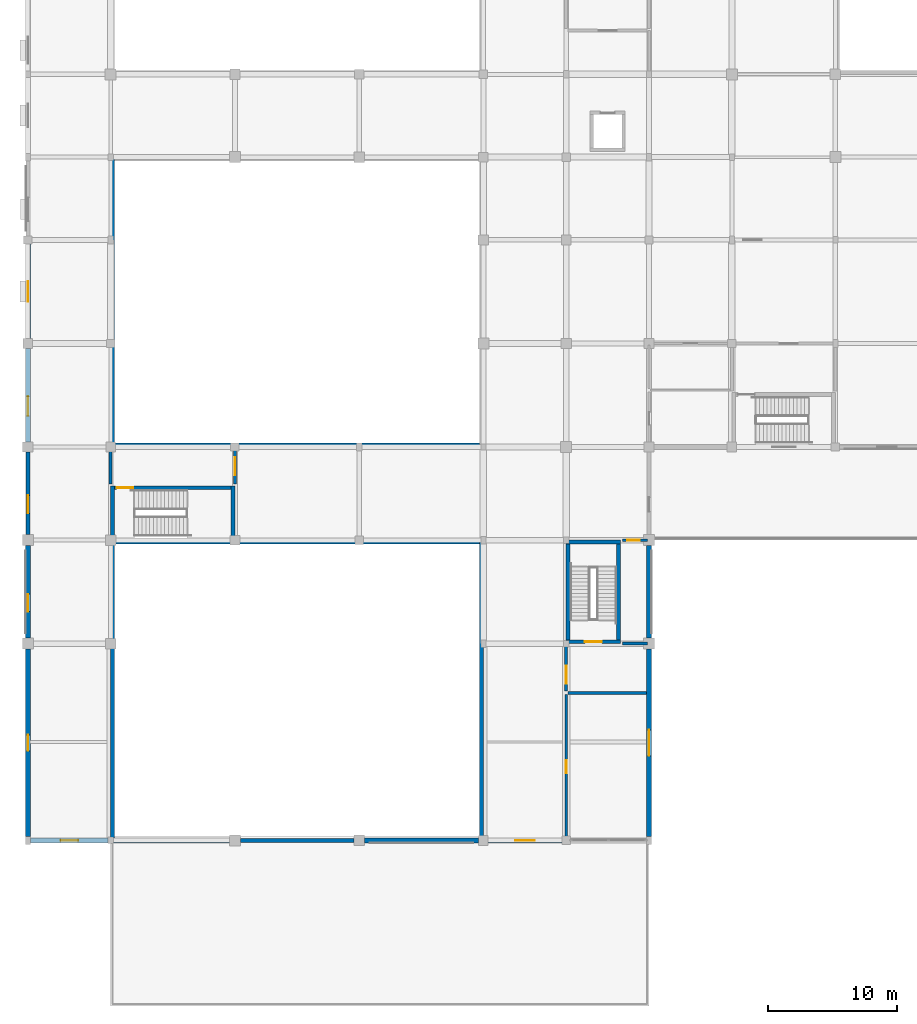
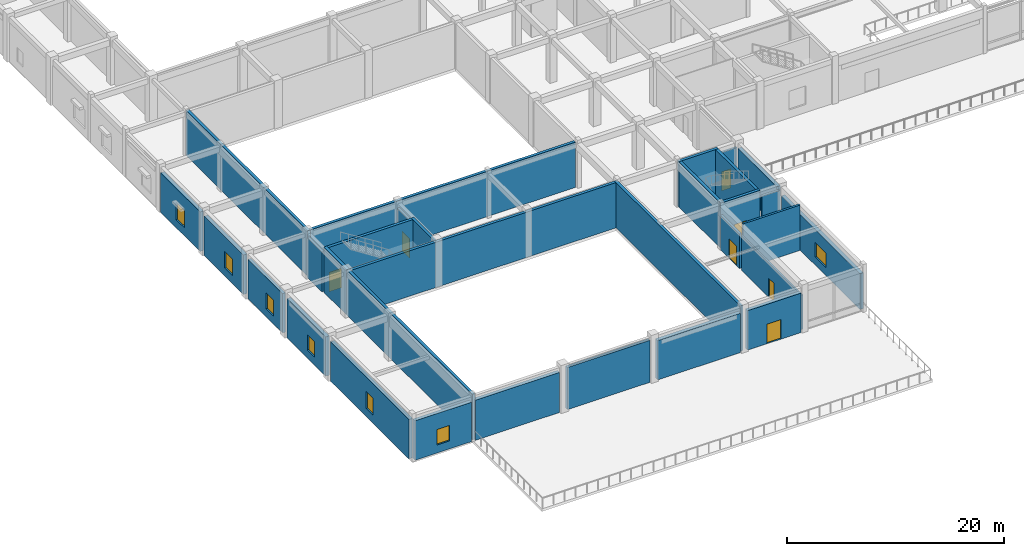
# One storey, part 21 of 36: 31 walls, 7 doors, 7 windows, 14 openings.
"""IFC4 building model written with IfcOpenShell, lengths in metres."""

from ifc_helpers import new_model, si_unit, direction, frame, frame_2d, origin, place, context, subcontext, project, spatial, rectangle, extrude, material, layer, layer_set, type_object, element, fill, save


model = new_model("IFC4")

# Units and contexts
model_context = context("Model", 3, precision=1e-05, world=origin(), true_north=direction((0.0, 1.0)))
body_context = subcontext(model_context, "Body", "Model", "MODEL_VIEW")
ifc_project = project(units=[si_unit("LENGTHUNIT", "METRE"), si_unit("AREAUNIT", "SQUARE_METRE"), si_unit("VOLUMEUNIT", "CUBIC_METRE"), si_unit("PLANEANGLEUNIT", "RADIAN"), si_unit("MASSUNIT", "GRAM", prefix="KILO")], contexts=[model_context])

# Site, building, storey
site_placement = place(None, origin())
site = spatial("IfcSite", under=ifc_project, at=site_placement, CompositionType="ELEMENT")
building_placement = place(site_placement, origin())
building = spatial("IfcBuilding", under=site, at=building_placement, Name="Vellmiral Cinema and Media Centre", CompositionType="ELEMENT")
storey_placement = place(building_placement, frame((0.0, 0.0, 5.39990234375)))
storey = spatial("IfcBuildingStorey", under=building, at=storey_placement, Name="L01", CompositionType="ELEMENT", Elevation=5.39990234375)

# Wall, opening, door
ifc_material_1 = material(Name="Concrete C40/50", Category="concrete")
ifc_layer_1 = layer(ifc_material_1, 0.2099609375, Name="Concrete C40/50")
ifc_layer_set_1 = layer_set([ifc_layer_1], Name="Concrete C40/50")
wall_type_1 = type_object("IfcWallType", Name="WL-COMP-210", PredefinedType="SOLIDWALL", material=ifc_layer_set_1)
wall_1_placement = place(storey_placement, frame((45.93994140625, 36.0, 0.0), z_axis=(0.0, 0.0, 1.0), x_axis=(1.0, 0.0, 0.0)))
wall_1 = element("IfcWall", 1, at=wall_1_placement, inside=storey, type_object=wall_type_1, Name="West Core Smoke Riser Room Wall N", PredefinedType="SOLIDWALL", context=body_context, shape_type="SweptSolid", body=[
    extrude(rectangle(XDim=1.955078125, YDim=0.2099609375, at=frame_2d((0.9775390625, 0.0))), origin(), (0.0, 0.0, 1.0), 4.385009765625),
])
opening_1_placement = place(wall_1_placement, frame((0.360107421875, 0.0, 0.0)))
opening_1 = element("IfcOpeningElement", 2, at=opening_1_placement, cuts=wall_1, Name="Opening D-FD30B", PredefinedType="OPENING", context=body_context, shape_type="SweptSolid", body=[
    extrude(rectangle(XDim=1.0, YDim=2.14990234375, at=frame_2d((0.5, 1.074951171875))), frame((0.0, 0.116943359375, 0.0), z_axis=(0.0, -1.0, 0.0), x_axis=(1.0, 0.0, 0.0)), (0.0, 0.0, 1.0), 0.23388671875),
])
ifc_material_2 = material(Name="Steel Riser Fire Door", Category="steel")
door_type_1 = type_object("IfcDoorType", Name="DR-FD30-1000x2150", OperationType="NOTDEFINED", PredefinedType="DOOR", material=ifc_material_2)
door_1_placement = place(opening_1_placement, frame((1.0, 0.0, 0.0), z_axis=(0.0, 0.0, 1.0), x_axis=(-1.0, 0.0, 0.0)))
door_1 = element("IfcDoor", 3, at=door_1_placement, inside=storey, type_object=door_type_1, Name="West Core Smoke Riser Room Door", OperationType="SINGLE_SWING_RIGHT", OverallHeight=2.14990234375, OverallWidth=1.0, PredefinedType="DOOR", context=body_context, shape_type="SweptSolid", body=[
    extrude(rectangle(XDim=1.0, YDim=2.14990234375, at=frame_2d((0.5, 1.074951171875))), frame((0.0, 0.02490234375, 0.0), z_axis=(0.0, -1.0, 0.0), x_axis=(1.0, 0.0, 0.0)), (0.0, 0.0, 1.0), 0.050048828125),
])
fill(opening_1, door_1)

# Walls
ifc_material_3 = material(Name="Concrete C40/50", Category="concrete")
ifc_layer_2 = layer(ifc_material_3, 0.300048828125, Name="Concrete C40/50")
ifc_layer_set_2 = layer_set([ifc_layer_2], Name="Concrete C40/50")
wall_type_2 = type_object("IfcWallType", Name="WL-CORE-300", PredefinedType="SHEAR", material=ifc_layer_set_2)
wall_2_placement = place(storey_placement, frame((6.699951171875, 35.85009765625, 0.0), z_axis=(0.0, 0.0, 1.0), x_axis=(1.0, 0.0, 0.0)))
element("IfcWall", 4, at=wall_2_placement, inside=storey, type_object=wall_type_2, Name="Cinema Screen 1 Acoustic Enclosure Wall L01-N1", PredefinedType="SHEAR", context=body_context, shape_type="SweptSolid", body=[
    extrude(rectangle(XDim=28.199951171875, YDim=0.300048828125, at=frame_2d((14.10009765625, 0.0))), origin(), (0.0, 0.0, 1.0), 5.10009765625),
])
for number, where, z_axis, x_axis, name in (
    (5, (6.550048828125, 12.800048828125, 0.0), (0.0, 0.0, 1.0), (0.0, 1.0, 0.0), "Cinema Screen 1 Acoustic Enclosure Wall L01-W1"),
    (6, (35.050048828125, 12.800048828125, 0.0), (0.0, 0.0, 1.0), (0.0, 1.0, 0.0), "Cinema Screen 1 Acoustic Enclosure Wall L01-E1"),
):
    element("IfcWall", number, at=place(storey_placement, frame(where, z_axis=z_axis, x_axis=x_axis)), inside=storey, type_object=wall_type_2, Name=name, PredefinedType="SHEAR", context=body_context, shape_type="SweptSolid", body=[
        extrude(rectangle(XDim=23.199951171875, YDim=0.300048828125, at=frame_2d((11.60009765625, 0.0))), origin(), (0.0, 0.0, 1.0), 5.10009765625),
    ])
wall_3_placement = place(storey_placement, frame((6.699951171875, 43.35009765625, 0.0), z_axis=(0.0, 0.0, 1.0), x_axis=(1.0, 0.0, 0.0)))
element("IfcWall", 7, at=wall_3_placement, inside=storey, type_object=wall_type_2, Name="Cinema Screen 2 Acoustic Enclosure Wall L01-S1", PredefinedType="SHEAR", context=body_context, shape_type="SweptSolid", body=[
    extrude(rectangle(XDim=28.199951171875, YDim=0.300048828125, at=frame_2d((14.10009765625, 0.0))), origin(), (0.0, 0.0, 1.0), 5.10009765625),
])
wall_4_placement = place(storey_placement, frame((6.550048828125, 43.199951171875, 0.0), z_axis=(0.0, 0.0, 1.0), x_axis=(0.0, 1.0, 0.0)))
element("IfcWall", 8, at=wall_4_placement, inside=storey, type_object=wall_type_2, Name="Cinema Screen 2 Acoustic Enclosure Wall L01-W1", PredefinedType="SHEAR", context=body_context, shape_type="SweptSolid", body=[
    extrude(rectangle(XDim=22.400146484375, YDim=0.300048828125, at=frame_2d((11.2001953125, 0.0))), origin(), (0.0, 0.0, 1.0), 5.10009765625),
])

# Wall, opening, door
wall_5_placement = place(storey_placement, frame((41.60009765625, 28.14990234375, 0.0), z_axis=(0.0, 0.0, 1.0), x_axis=(1.0, 0.0, 0.0)))
wall_5 = element("IfcWall", 9, at=wall_5_placement, inside=storey, type_object=wall_type_2, Name="Stair Core Wall ST-P1 L01-S", PredefinedType="SHEAR", context=body_context, shape_type="SweptSolid", body=[
    extrude(rectangle(XDim=4.199951171875, YDim=0.300048828125, at=frame_2d((2.10009765625, 0.0))), origin(), (0.0, 0.0, 1.0), 5.10009765625),
])
opening_2_placement = place(wall_5_placement, frame((1.449951171875, 0.0, 0.0)))
opening_2 = element("IfcOpeningElement", 10, at=opening_2_placement, cuts=wall_5, Name="Opening D-FD30A", PredefinedType="OPENING", context=body_context, shape_type="SweptSolid", body=[
    extrude(rectangle(XDim=1.300048828125, YDim=2.179931640625, at=frame_2d((0.64990234375, 1.08984375))), frame((0.0, 0.162109375, 0.0), z_axis=(0.0, -1.0, 0.0), x_axis=(1.0, 0.0, 0.0)), (0.0, 0.0, 1.0), 0.323974609375),
])
ifc_material_4 = material(Name="Steel Stair Fire Door", Category="steel")
door_type_2 = type_object("IfcDoorType", Name="DR-FD30-1300x2180", OperationType="NOTDEFINED", PredefinedType="DOOR", material=ifc_material_4)
door_2_placement = place(opening_2_placement, origin())
door_2 = element("IfcDoor", 11, at=door_2_placement, inside=storey, type_object=door_type_2, Name="Protected Stair Door ST-P1 L01", OperationType="SINGLE_SWING_LEFT", OverallHeight=2.179931640625, OverallWidth=1.300048828125, PredefinedType="DOOR", context=body_context, shape_type="SweptSolid", body=[
    extrude(rectangle(XDim=1.300048828125, YDim=2.179931640625, at=frame_2d((0.64990234375, 1.08984375))), frame((0.0, 0.02490234375, 0.0), z_axis=(0.0, -1.0, 0.0), x_axis=(1.0, 0.0, 0.0)), (0.0, 0.0, 1.0), 0.050048828125),
])
fill(opening_2, door_2)

# Walls
wall_6_placement = place(storey_placement, frame((41.60009765625, 35.85009765625, 0.0), z_axis=(0.0, 0.0, 1.0), x_axis=(1.0, 0.0, 0.0)))
element("IfcWall", 12, at=wall_6_placement, inside=storey, type_object=wall_type_2, Name="Stair Core Wall ST-P1 L01-N", PredefinedType="SHEAR", context=body_context, shape_type="SweptSolid", body=[
    extrude(rectangle(XDim=4.199951171875, YDim=0.300048828125, at=frame_2d((2.10009765625, 0.0))), origin(), (0.0, 0.0, 1.0), 5.10009765625),
])
for number, where, z_axis, x_axis, name in (
    (13, (41.75, 28.300048828125, 0.0), (0.0, 0.0, 1.0), (0.0, 1.0, 0.0), "Stair Core Wall ST-P1 L01-W"),
    (14, (45.64990234375, 28.300048828125, 0.0), (0.0, 0.0, 1.0), (0.0, 1.0, 0.0), "Stair Core Wall ST-P1 L01-E"),
):
    element("IfcWall", number, at=place(storey_placement, frame(where, z_axis=z_axis, x_axis=x_axis)), inside=storey, type_object=wall_type_2, Name=name, PredefinedType="SHEAR", context=body_context, shape_type="SweptSolid", body=[
        extrude(rectangle(XDim=7.39990234375, YDim=0.300048828125, at=frame_2d((3.699951171875, 0.0))), origin(), (0.0, 0.0, 1.0), 5.10009765625),
    ])
for number, where, z_axis, x_axis, name in (
    (15, (6.550048828125, 36.0, 0.0), (0.0, 0.0, 1.0), (0.0, 1.0, 0.0), "Stair Core Wall ST-P7 L01-W"),
    (16, (15.85009765625, 36.0, 0.0), (0.0, 0.0, 1.0), (0.0, 1.0, 0.0), "Stair Core Wall ST-P7 L01-E"),
):
    element("IfcWall", number, at=place(storey_placement, frame(where, z_axis=z_axis, x_axis=x_axis)), inside=storey, type_object=wall_type_2, Name=name, PredefinedType="SHEAR", context=body_context, shape_type="SweptSolid", body=[
        extrude(rectangle(XDim=4.199951171875, YDim=0.300048828125, at=frame_2d((2.10009765625, 0.0))), origin(), (0.0, 0.0, 1.0), 5.10009765625),
    ])

# Wall, opening, door
wall_7_placement = place(storey_placement, frame((6.699951171875, 40.050048828125, 0.0), z_axis=(0.0, 0.0, 1.0), x_axis=(1.0, 0.0, 0.0)))
wall_7 = element("IfcWall", 17, at=wall_7_placement, inside=storey, type_object=wall_type_2, Name="Stair Core Wall ST-P7 L01-N", PredefinedType="SHEAR", context=body_context, shape_type="SweptSolid", body=[
    extrude(rectangle(XDim=9.0, YDim=0.300048828125, at=frame_2d((4.5, 0.0))), origin(), (0.0, 0.0, 1.0), 5.10009765625),
])
opening_3_placement = place(wall_7_placement, frame((0.159912109375, 0.0, 0.0)))
opening_3 = element("IfcOpeningElement", 18, at=opening_3_placement, cuts=wall_7, Name="Opening D-FD30A", PredefinedType="OPENING", context=body_context, shape_type="SweptSolid", body=[
    extrude(rectangle(XDim=1.300048828125, YDim=2.179931640625, at=frame_2d((0.64990234375, 1.08984375))), frame((0.0, 0.162109375, 0.0), z_axis=(0.0, -1.0, 0.0), x_axis=(1.0, 0.0, 0.0)), (0.0, 0.0, 1.0), 0.323974609375),
])
door_3_placement = place(opening_3_placement, frame((1.300048828125, 0.0, 0.0), z_axis=(0.0, 0.0, 1.0), x_axis=(-1.0, 0.0, 0.0)))
door_3 = element("IfcDoor", 19, at=door_3_placement, inside=storey, type_object=door_type_2, Name="Protected Stair Door ST-P7 L01", OperationType="SINGLE_SWING_RIGHT", OverallHeight=2.179931640625, OverallWidth=1.300048828125, PredefinedType="DOOR", context=body_context, shape_type="SweptSolid", body=[
    extrude(rectangle(XDim=1.300048828125, YDim=2.179931640625, at=frame_2d((0.64990234375, 1.08984375))), frame((0.0, 0.02490234375, 0.0), z_axis=(0.0, -1.0, 0.0), x_axis=(1.0, 0.0, 0.0)), (0.0, 0.0, 1.0), 0.050048828125),
])
fill(opening_3, door_3)

# Wall
ifc_material_5 = material(Name="Polychrome Glazed Ceramic Cladding", Category="masonry")
ifc_layer_3 = layer(ifc_material_5, 0.320068359375, Name="Polychrome Glazed Ceramic Cladding")
ifc_layer_set_3 = layer_set([ifc_layer_3], Name="Polychrome Glazed Ceramic Cladding")
wall_type_3 = type_object("IfcWallType", Name="WL-EXT-BRICK-320", PredefinedType="SOLIDWALL", material=ifc_layer_set_3)
wall_8_placement = place(storey_placement, frame((16.425048828125, 12.800048828125, 0.0), z_axis=(0.0, 0.0, 1.0), x_axis=(1.0, 0.0, 0.0)))
element("IfcWall", 20, at=wall_8_placement, inside=storey, type_object=wall_type_3, Name="Exterior Facade Wall L01-003", PredefinedType="SOLIDWALL", context=body_context, shape_type="SweptSolid", body=[
    extrude(rectangle(XDim=8.77490234375, YDim=0.320068359375, at=frame_2d((4.387451171875, 0.0))), origin(), (0.0, 0.0, 1.0), 4.735107421875),
])

# Wall, opening, window
wall_9_placement = place(storey_placement, frame((0.0, 42.800048828125, 0.0), z_axis=(0.0, 0.0, 1.0), x_axis=(0.0, -1.0, 0.0)))
wall_9 = element("IfcWall", 21, at=wall_9_placement, inside=storey, type_object=wall_type_3, Name="Exterior Facade Wall L01-075", PredefinedType="SOLIDWALL", context=body_context, shape_type="SweptSolid", body=[
    extrude(rectangle(XDim=6.375, YDim=0.320068359375, at=frame_2d((3.1875, 0.0))), origin(), (0.0, 0.0, 1.0), 4.440185546875),
])
opening_4_placement = place(wall_9_placement, frame((3.33740234375, 0.0, 0.89990234375)))
opening_4 = element("IfcOpeningElement", 22, at=opening_4_placement, cuts=wall_9, Name="Opening WN-07", PredefinedType="OPENING", context=body_context, shape_type="SweptSolid", body=[
    extrude(rectangle(XDim=1.39990234375, YDim=1.800048828125, at=frame_2d((0.699951171875, 0.89990234375))), frame((0.0, 0.171875, 0.0), z_axis=(0.0, -1.0, 0.0), x_axis=(1.0, 0.0, 0.0)), (0.0, 0.0, 1.0), 0.343994140625),
])
ifc_material_6 = material(Name="Thermally Broken Aluminium Triple Glazing", Category="aluminium")
window_type_1 = type_object("IfcWindowType", Name="WN-1400x1800", PartitioningType="SINGLE_PANEL", PredefinedType="WINDOW", material=ifc_material_6)
window_1_placement = place(opening_4_placement, origin())
window_1 = element("IfcWindow", 23, at=window_1_placement, inside=storey, type_object=window_type_1, Name="Window L01-075", OverallHeight=1.800048828125, OverallWidth=1.39990234375, PartitioningType="SINGLE_PANEL", PredefinedType="WINDOW", context=body_context, shape_type="SweptSolid", body=[
    extrude(rectangle(XDim=1.39990234375, YDim=1.800048828125, at=frame_2d((0.699951171875, 0.89990234375))), frame((0.0, 0.030029296875, 0.0), z_axis=(0.0, -1.0, 0.0), x_axis=(1.0, 0.0, 0.0)), (0.0, 0.0, 1.0), 0.06005859375),
])
fill(opening_4, window_1)

ifc_material_7 = material(Name="Vosges Red Sandstone Masonry", Category="masonry")
ifc_layer_4 = layer(ifc_material_7, 0.3798828125, Name="Vosges Red Sandstone Masonry")
ifc_layer_set_4 = layer_set([ifc_layer_4], Name="Vosges Red Sandstone Masonry")
wall_type_4 = type_object("IfcWallType", Name="WL-EXT-SAND-380", PredefinedType="SOLIDWALL", material=ifc_layer_set_4)
wall_10_placement = place(storey_placement, frame((0.199951171875, 12.800048828125, 0.0), z_axis=(0.0, 0.0, 1.0), x_axis=(1.0, 0.0, 0.0)))
wall_10 = element("IfcWall", 24, at=wall_10_placement, inside=storey, type_object=wall_type_4, Name="Exterior Facade Wall L01-001", PredefinedType="SOLIDWALL", context=body_context, shape_type="SweptSolid", body=[
    extrude(rectangle(XDim=6.0, YDim=0.3798828125, at=frame_2d((3.0, 0.0))), origin(), (0.0, 0.0, 1.0), 4.440185546875),
])
opening_5_placement = place(wall_10_placement, frame((2.324951171875, 0.0, 0.89990234375)))
opening_5 = element("IfcOpeningElement", 25, at=opening_5_placement, cuts=wall_10, Name="Opening WN-08", PredefinedType="OPENING", context=body_context, shape_type="SweptSolid", body=[
    extrude(rectangle(XDim=1.35009765625, YDim=1.75, at=frame_2d((0.675048828125, 0.875))), frame((0.0, 0.201904296875, 0.0), z_axis=(0.0, -1.0, 0.0), x_axis=(1.0, 0.0, 0.0)), (0.0, 0.0, 1.0), 0.40380859375),
])
ifc_material_8 = material(Name="Thermally Broken Aluminium Triple Glazing", Category="aluminium")
window_type_2 = type_object("IfcWindowType", Name="WN-1350x1750", PartitioningType="SINGLE_PANEL", PredefinedType="WINDOW", material=ifc_material_8)
window_2_placement = place(opening_5_placement, origin())
window_2 = element("IfcWindow", 26, at=window_2_placement, inside=storey, type_object=window_type_2, Name="Window L01-001", OverallHeight=1.75, OverallWidth=1.35009765625, PartitioningType="SINGLE_PANEL", PredefinedType="WINDOW", context=body_context, shape_type="SweptSolid", body=[
    extrude(rectangle(XDim=1.35009765625, YDim=1.75, at=frame_2d((0.675048828125, 0.875))), frame((0.0, 0.030029296875, 0.0), z_axis=(0.0, -1.0, 0.0), x_axis=(1.0, 0.0, 0.0)), (0.0, 0.0, 1.0), 0.06005859375),
])
fill(opening_5, window_2)

# Walls
wall_11_placement = place(storey_placement, frame((6.60009765625, 12.800048828125, 0.0), z_axis=(0.0, 0.0, 1.0), x_axis=(1.0, 0.0, 0.0)))
element("IfcWall", 27, at=wall_11_placement, inside=storey, type_object=wall_type_4, Name="Exterior Facade Wall L01-002", PredefinedType="SOLIDWALL", context=body_context, shape_type="SweptSolid", body=[
    extrude(rectangle(XDim=8.974853515625, YDim=0.3798828125, at=frame_2d((4.4873046875, 0.0))), origin(), (0.0, 0.0, 1.0), 4.51513671875),
])
wall_12_placement = place(storey_placement, frame((26.0, 12.800048828125, 0.0), z_axis=(0.0, 0.0, 1.0), x_axis=(1.0, 0.0, 0.0)))
element("IfcWall", 28, at=wall_12_placement, inside=storey, type_object=wall_type_4, Name="Exterior Facade Wall L01-004", PredefinedType="SOLIDWALL", context=body_context, shape_type="SweptSolid", body=[
    extrude(rectangle(XDim=8.824951171875, YDim=0.3798828125, at=frame_2d((4.41259765625, 0.0))), origin(), (0.0, 0.0, 1.0), 4.43505859375),
])

# Wall, opening, door
wall_13_placement = place(storey_placement, frame((35.574951171875, 12.800048828125, 0.0), z_axis=(0.0, 0.0, 1.0), x_axis=(1.0, 0.0, 0.0)))
wall_13 = element("IfcWall", 29, at=wall_13_placement, inside=storey, type_object=wall_type_4, Name="Exterior Facade Wall L01-005", PredefinedType="SOLIDWALL", context=body_context, shape_type="SweptSolid", body=[
    extrude(rectangle(XDim=5.699951171875, YDim=0.3798828125, at=frame_2d((2.85009765625, 0.0))), origin(), (0.0, 0.0, 1.0), 4.440185546875),
])
opening_6_placement = place(wall_13_placement, frame((2.074951171875, 0.0, 0.0)))
opening_6 = element("IfcOpeningElement", 30, at=opening_6_placement, cuts=wall_13, Name="Opening DE-04", PredefinedType="OPENING", context=body_context, shape_type="SweptSolid", body=[
    extrude(rectangle(XDim=1.5, YDim=2.199951171875, at=frame_2d((0.75, 1.10009765625))), frame((0.0, 0.201904296875, 0.0), z_axis=(0.0, -1.0, 0.0), x_axis=(1.0, 0.0, 0.0)), (0.0, 0.0, 1.0), 0.40380859375),
])
ifc_material_9 = material(Name="Thermally Broken Glazed Aluminium and Bronze Door", Category="aluminium")
door_type_3 = type_object("IfcDoorType", Name="DR-TER-1500x2200", OperationType="DOUBLE_DOOR_SINGLE_SWING", PredefinedType="DOOR", material=ifc_material_9)
door_4_placement = place(opening_6_placement, frame((1.5, 0.0, 0.0), z_axis=(0.0, 0.0, 1.0), x_axis=(-1.0, 0.0, 0.0)))
door_4 = element("IfcDoor", 31, at=door_4_placement, inside=storey, type_object=door_type_3, Name="Promenade West Colonnade Terrace Door", OperationType="DOUBLE_DOOR_SINGLE_SWING", OverallHeight=2.199951171875, OverallWidth=1.5, PredefinedType="DOOR", context=body_context, shape_type="SweptSolid", body=[
    extrude(rectangle(XDim=1.5, YDim=2.199951171875, at=frame_2d((0.75, 1.10009765625))), frame((0.0, 0.02490234375, 0.0), z_axis=(0.0, -1.0, 0.0), x_axis=(1.0, 0.0, 0.0)), (0.0, 0.0, 1.0), 0.050048828125),
])
fill(opening_6, door_4)

# Wall, opening, window
wall_14_placement = place(storey_placement, frame((48.0, 13.10009765625, 0.0), z_axis=(0.0, 0.0, 1.0), x_axis=(0.0, 1.0, 0.0)))
wall_14 = element("IfcWall", 32, at=wall_14_placement, inside=storey, type_object=wall_type_4, Name="Exterior Facade Wall L01-007", PredefinedType="SOLIDWALL", context=body_context, shape_type="SweptSolid", body=[
    extrude(rectangle(XDim=14.474853515625, YDim=0.3798828125, at=frame_2d((7.2373046875, 0.0))), origin(), (0.0, 0.0, 1.0), 4.025146484375),
])
opening_7_placement = place(wall_14_placement, frame((6.237548828125, 0.0, 0.89990234375)))
opening_7 = element("IfcOpeningElement", 33, at=opening_7_placement, cuts=wall_14, Name="Opening WN-14", PredefinedType="OPENING", context=body_context, shape_type="SweptSolid", body=[
    extrude(rectangle(XDim=2.0, YDim=1.64990234375, at=frame_2d((1.0, 0.824951171875))), frame((0.0, 0.201904296875, 0.0), z_axis=(0.0, -1.0, 0.0), x_axis=(1.0, 0.0, 0.0)), (0.0, 0.0, 1.0), 0.40380859375),
])
ifc_material_10 = material(Name="Thermally Broken Aluminium Triple Glazing", Category="aluminium")
window_type_3 = type_object("IfcWindowType", Name="WN-2000x1650", PartitioningType="DOUBLE_PANEL_HORIZONTAL", PredefinedType="WINDOW", material=ifc_material_10)
window_3_placement = place(opening_7_placement, origin())
window_3 = element("IfcWindow", 34, at=window_3_placement, inside=storey, type_object=window_type_3, Name="Window L01-007", OverallHeight=1.64990234375, OverallWidth=2.0, PartitioningType="DOUBLE_PANEL_HORIZONTAL", PredefinedType="WINDOW", context=body_context, shape_type="SweptSolid", body=[
    extrude(rectangle(XDim=2.0, YDim=1.64990234375, at=frame_2d((1.0, 0.824951171875))), frame((0.0, 0.030029296875, 0.0), z_axis=(0.0, -1.0, 0.0), x_axis=(1.0, 0.0, 0.0)), (0.0, 0.0, 1.0), 0.06005859375),
])
fill(opening_7, window_3)

# Wall
wall_15_placement = place(storey_placement, frame((48.0, 28.425048828125, 0.0), z_axis=(0.0, 0.0, 1.0), x_axis=(0.0, 1.0, 0.0)))
element("IfcWall", 35, at=wall_15_placement, inside=storey, type_object=wall_type_4, Name="Exterior Facade Wall L01-008", PredefinedType="SOLIDWALL", context=body_context, shape_type="SweptSolid", body=[
    extrude(rectangle(XDim=7.14990234375, YDim=0.3798828125, at=frame_2d((3.574951171875, 0.0))), origin(), (0.0, 0.0, 1.0), 4.51513671875),
])

# Wall, opening, window
wall_16_placement = place(storey_placement, frame((0.0, 58.875, 0.0), z_axis=(0.0, 0.0, 1.0), x_axis=(0.0, -1.0, 0.0)))
wall_16 = element("IfcWall", 36, at=wall_16_placement, inside=storey, type_object=wall_type_4, Name="Exterior Facade Wall L01-073", PredefinedType="SOLIDWALL", context=body_context, shape_type="SweptSolid", body=[
    extrude(rectangle(XDim=7.300048828125, YDim=0.3798828125, at=frame_2d((3.64990234375, 0.0))), origin(), (0.0, 0.0, 1.0), 4.440185546875),
])
opening_8_placement = place(wall_16_placement, frame((2.85009765625, 0.0, 0.89990234375)))
opening_8 = element("IfcOpeningElement", 37, at=opening_8_placement, cuts=wall_16, Name="Opening WN-05", PredefinedType="OPENING", context=body_context, shape_type="SweptSolid", body=[
    extrude(rectangle(XDim=1.60009765625, YDim=1.949951171875, at=frame_2d((0.800048828125, 0.97509765625))), frame((0.0, 0.201904296875, 0.0), z_axis=(0.0, -1.0, 0.0), x_axis=(1.0, 0.0, 0.0)), (0.0, 0.0, 1.0), 0.40380859375),
])
ifc_material_11 = material(Name="Thermally Broken Aluminium Triple Glazing", Category="aluminium")
window_type_4 = type_object("IfcWindowType", Name="WN-1600x1950", PartitioningType="DOUBLE_PANEL_VERTICAL", PredefinedType="WINDOW", material=ifc_material_11)
window_4_placement = place(opening_8_placement, origin())
window_4 = element("IfcWindow", 38, at=window_4_placement, inside=storey, type_object=window_type_4, Name="Window L01-073", OverallHeight=1.949951171875, OverallWidth=1.60009765625, PartitioningType="DOUBLE_PANEL_VERTICAL", PredefinedType="WINDOW", context=body_context, shape_type="SweptSolid", body=[
    extrude(rectangle(XDim=1.60009765625, YDim=1.949951171875, at=frame_2d((0.800048828125, 0.97509765625))), frame((0.0, 0.030029296875, 0.0), z_axis=(0.0, -1.0, 0.0), x_axis=(1.0, 0.0, 0.0)), (0.0, 0.0, 1.0), 0.06005859375),
])
fill(opening_8, window_4)

wall_17_placement = place(storey_placement, frame((0.0, 50.824951171875, 0.0), z_axis=(0.0, 0.0, 1.0), x_axis=(0.0, -1.0, 0.0)))
wall_17 = element("IfcWall", 39, at=wall_17_placement, inside=storey, type_object=wall_type_4, Name="Exterior Facade Wall L01-074", PredefinedType="SOLIDWALL", context=body_context, shape_type="SweptSolid", body=[
    extrude(rectangle(XDim=7.224853515625, YDim=0.3798828125, at=frame_2d((3.6123046875, 0.0))), origin(), (0.0, 0.0, 1.0), 4.440185546875),
])
opening_9_placement = place(wall_17_placement, frame((3.71240234375, 0.0, 0.89990234375)))
opening_9 = element("IfcOpeningElement", 40, at=opening_9_placement, cuts=wall_17, Name="Opening WN-06", PredefinedType="OPENING", context=body_context, shape_type="SweptSolid", body=[
    extrude(rectangle(XDim=1.5, YDim=1.85009765625, at=frame_2d((0.75, 0.925048828125))), frame((0.0, 0.201904296875, 0.0), z_axis=(0.0, -1.0, 0.0), x_axis=(1.0, 0.0, 0.0)), (0.0, 0.0, 1.0), 0.40380859375),
])
ifc_material_12 = material(Name="Thermally Broken Aluminium Triple Glazing", Category="aluminium")
window_type_5 = type_object("IfcWindowType", Name="WN-1500x1850", PartitioningType="SINGLE_PANEL", PredefinedType="WINDOW", material=ifc_material_12)
window_5_placement = place(opening_9_placement, origin())
window_5 = element("IfcWindow", 41, at=window_5_placement, inside=storey, type_object=window_type_5, Name="Window L01-074", OverallHeight=1.85009765625, OverallWidth=1.5, PartitioningType="SINGLE_PANEL", PredefinedType="WINDOW", context=body_context, shape_type="SweptSolid", body=[
    extrude(rectangle(XDim=1.5, YDim=1.85009765625, at=frame_2d((0.75, 0.925048828125))), frame((0.0, 0.030029296875, 0.0), z_axis=(0.0, -1.0, 0.0), x_axis=(1.0, 0.0, 0.0)), (0.0, 0.0, 1.0), 0.06005859375),
])
fill(opening_9, window_5)

wall_18_placement = place(storey_placement, frame((0.0, 35.574951171875, 0.0), z_axis=(0.0, 0.0, 1.0), x_axis=(0.0, -1.0, 0.0)))
wall_18 = element("IfcWall", 42, at=wall_18_placement, inside=storey, type_object=wall_type_4, Name="Exterior Facade Wall L01-076", PredefinedType="SOLIDWALL", context=body_context, shape_type="SweptSolid", body=[
    extrude(rectangle(XDim=7.14990234375, YDim=0.3798828125, at=frame_2d((3.574951171875, 0.0))), origin(), (0.0, 0.0, 1.0), 4.425048828125),
])
opening_10_placement = place(wall_18_placement, frame((3.75, 0.0, 0.89990234375)))
opening_10 = element("IfcOpeningElement", 43, at=opening_10_placement, cuts=wall_18, Name="Opening WN-08", PredefinedType="OPENING", context=body_context, shape_type="SweptSolid", body=[
    extrude(rectangle(XDim=1.35009765625, YDim=1.75, at=frame_2d((0.675048828125, 0.875))), frame((0.0, 0.201904296875, 0.0), z_axis=(0.0, -1.0, 0.0), x_axis=(1.0, 0.0, 0.0)), (0.0, 0.0, 1.0), 0.40380859375),
])
window_6_placement = place(opening_10_placement, origin())
window_6 = element("IfcWindow", 44, at=window_6_placement, inside=storey, type_object=window_type_2, Name="Window L01-076", OverallHeight=1.75, OverallWidth=1.35009765625, PartitioningType="SINGLE_PANEL", PredefinedType="WINDOW", context=body_context, shape_type="SweptSolid", body=[
    extrude(rectangle(XDim=1.35009765625, YDim=1.75, at=frame_2d((0.675048828125, 0.875))), frame((0.0, 0.030029296875, 0.0), z_axis=(0.0, -1.0, 0.0), x_axis=(1.0, 0.0, 0.0)), (0.0, 0.0, 1.0), 0.06005859375),
])
fill(opening_10, window_6)

wall_19_placement = place(storey_placement, frame((0.0, 27.574951171875, 0.0), z_axis=(0.0, 0.0, 1.0), x_axis=(0.0, -1.0, 0.0)))
wall_19 = element("IfcWall", 45, at=wall_19_placement, inside=storey, type_object=wall_type_4, Name="Exterior Facade Wall L01-077", PredefinedType="SOLIDWALL", context=body_context, shape_type="SweptSolid", body=[
    extrude(rectangle(XDim=14.474853515625, YDim=0.3798828125, at=frame_2d((7.2373046875, 0.0))), origin(), (0.0, 0.0, 1.0), 4.425048828125),
])
opening_11_placement = place(wall_19_placement, frame((6.612548828125, 0.0, 0.89990234375)))
opening_11 = element("IfcOpeningElement", 46, at=opening_11_placement, cuts=wall_19, Name="Opening WN-09", PredefinedType="OPENING", context=body_context, shape_type="SweptSolid", body=[
    extrude(rectangle(XDim=1.25, YDim=1.89990234375, at=frame_2d((0.625, 0.949951171875))), frame((0.0, 0.201904296875, 0.0), z_axis=(0.0, -1.0, 0.0), x_axis=(1.0, 0.0, 0.0)), (0.0, 0.0, 1.0), 0.40380859375),
])
ifc_material_13 = material(Name="Thermally Broken Aluminium Triple Glazing", Category="aluminium")
window_type_6 = type_object("IfcWindowType", Name="WN-1250x1900", PartitioningType="SINGLE_PANEL", PredefinedType="WINDOW", material=ifc_material_13)
window_7_placement = place(opening_11_placement, origin())
window_7 = element("IfcWindow", 47, at=window_7_placement, inside=storey, type_object=window_type_6, Name="Window L01-077", OverallHeight=1.89990234375, OverallWidth=1.25, PartitioningType="SINGLE_PANEL", PredefinedType="WINDOW", context=body_context, shape_type="SweptSolid", body=[
    extrude(rectangle(XDim=1.25, YDim=1.89990234375, at=frame_2d((0.625, 0.949951171875))), frame((0.0, 0.030029296875, 0.0), z_axis=(0.0, -1.0, 0.0), x_axis=(1.0, 0.0, 0.0)), (0.0, 0.0, 1.0), 0.06005859375),
])
fill(opening_11, window_7)

# Walls
ifc_material_14 = material(Name="Concrete C40/50", Category="concrete")
ifc_layer_5 = layer(ifc_material_14, 0.22998046875, Name="Concrete C40/50")
ifc_layer_set_5 = layer_set([ifc_layer_5], Name="Concrete C40/50")
wall_type_5 = type_object("IfcWallType", Name="WL-FFL-230", PredefinedType="SOLIDWALL", material=ifc_layer_set_5)
wall_20_placement = place(storey_placement, frame((41.739990234375, 24.199951171875, 0.0), z_axis=(0.0, 0.0, 1.0), x_axis=(1.0, 0.0, 0.0)))
element("IfcWall", 48, at=wall_20_placement, inside=storey, type_object=wall_type_5, Name="Firefighting Stair Lobby ST-P1 Wall S", PredefinedType="SOLIDWALL", context=body_context, shape_type="SweptSolid", body=[
    extrude(rectangle(XDim=6.054931640625, YDim=0.22998046875, at=frame_2d((3.02734375, 0.0))), origin(), (0.0, 0.0, 1.0), 5.10009765625),
])
wall_21_placement = place(storey_placement, frame((45.93994140625, 28.0, 0.0), z_axis=(0.0, 0.0, 1.0), x_axis=(1.0, 0.0, 0.0)))
element("IfcWall", 49, at=wall_21_placement, inside=storey, type_object=wall_type_5, Name="Firefighting Stair Lobby ST-P1 Wall N", PredefinedType="SOLIDWALL", context=body_context, shape_type="SweptSolid", body=[
    extrude(rectangle(XDim=1.955078125, YDim=0.22998046875, at=frame_2d((0.9775390625, 0.0))), origin(), (0.0, 0.0, 1.0), 4.43505859375),
])

# Wall, opening, door
wall_22_placement = place(storey_placement, frame((41.60009765625, 24.340087890625, 0.0), z_axis=(0.0, 0.0, 1.0), x_axis=(0.0, 1.0, 0.0)))
wall_22 = element("IfcWall", 50, at=wall_22_placement, inside=storey, type_object=wall_type_5, Name="Firefighting Stair Lobby ST-P1 Wall W", PredefinedType="SOLIDWALL", context=body_context, shape_type="SweptSolid", body=[
    extrude(rectangle(XDim=3.52001953125, YDim=0.22998046875, at=frame_2d((1.760009765625, 0.0))), origin(), (0.0, 0.0, 1.0), 3.885009765625),
])
opening_12_placement = place(wall_22_placement, frame((0.56005859375, 0.0, 0.0)))
opening_12 = element("IfcOpeningElement", 51, at=opening_12_placement, cuts=wall_22, Name="Opening D-FD60B", PredefinedType="OPENING", context=body_context, shape_type="SweptSolid", body=[
    extrude(rectangle(XDim=1.39990234375, YDim=2.199951171875, at=frame_2d((0.699951171875, 1.10009765625))), frame((0.0, 0.126953125, 0.0), z_axis=(0.0, -1.0, 0.0), x_axis=(1.0, 0.0, 0.0)), (0.0, 0.0, 1.0), 0.25390625),
])
ifc_material_15 = material(Name="Steel Fire Door", Category="steel")
door_type_4 = type_object("IfcDoorType", Name="DR-FD60-1400x2200", OperationType="NOTDEFINED", PredefinedType="DOOR", material=ifc_material_15)
door_5_placement = place(opening_12_placement, frame((1.39990234375, 0.0, 0.0), z_axis=(0.0, 0.0, 1.0), x_axis=(-1.0, 0.0, 0.0)))
door_5 = element("IfcDoor", 52, at=door_5_placement, inside=storey, type_object=door_type_4, Name="Firefighting Stair Lobby ST-P1 Door", OperationType="SINGLE_SWING_RIGHT", OverallHeight=2.199951171875, OverallWidth=1.39990234375, PredefinedType="DOOR", context=body_context, shape_type="SweptSolid", body=[
    extrude(rectangle(XDim=1.39990234375, YDim=2.199951171875, at=frame_2d((0.699951171875, 1.10009765625))), frame((0.0, 0.02490234375, 0.0), z_axis=(0.0, -1.0, 0.0), x_axis=(1.0, 0.0, 0.0)), (0.0, 0.0, 1.0), 0.050048828125),
])
fill(opening_12, door_5)

# Wall
wall_23_placement = place(storey_placement, frame((6.39990234375, 40.340087890625, 0.0), z_axis=(0.0, 0.0, 1.0), x_axis=(0.0, 1.0, 0.0)))
element("IfcWall", 53, at=wall_23_placement, inside=storey, type_object=wall_type_5, Name="Firefighting Stair Lobby ST-P7 Wall W", PredefinedType="SOLIDWALL", context=body_context, shape_type="SweptSolid", body=[
    extrude(rectangle(XDim=2.719970703125, YDim=0.22998046875, at=frame_2d((1.35986328125, 0.0))), origin(), (0.0, 0.0, 1.0), 4.485107421875),
])

# Wall, opening, door
wall_24_placement = place(storey_placement, frame((16.0, 40.340087890625, 0.0), z_axis=(0.0, 0.0, 1.0), x_axis=(0.0, 1.0, 0.0)))
wall_24 = element("IfcWall", 54, at=wall_24_placement, inside=storey, type_object=wall_type_5, Name="Firefighting Stair Lobby ST-P7 Wall E", PredefinedType="SOLIDWALL", context=body_context, shape_type="SweptSolid", body=[
    extrude(rectangle(XDim=2.719970703125, YDim=0.22998046875, at=frame_2d((1.35986328125, 0.0))), origin(), (0.0, 0.0, 1.0), 4.43505859375),
])
opening_13_placement = place(wall_24_placement, frame((0.659912109375, 0.0, 0.0)))
opening_13 = element("IfcOpeningElement", 55, at=opening_13_placement, cuts=wall_24, Name="Opening D-FD60B", PredefinedType="OPENING", context=body_context, shape_type="SweptSolid", body=[
    extrude(rectangle(XDim=1.39990234375, YDim=2.199951171875, at=frame_2d((0.699951171875, 1.10009765625))), frame((0.0, 0.126953125, 0.0), z_axis=(0.0, -1.0, 0.0), x_axis=(1.0, 0.0, 0.0)), (0.0, 0.0, 1.0), 0.25390625),
])
door_6_placement = place(opening_13_placement, origin())
door_6 = element("IfcDoor", 56, at=door_6_placement, inside=storey, type_object=door_type_4, Name="Firefighting Stair Lobby ST-P7 Door", OperationType="SINGLE_SWING_LEFT", OverallHeight=2.199951171875, OverallWidth=1.39990234375, PredefinedType="DOOR", context=body_context, shape_type="SweptSolid", body=[
    extrude(rectangle(XDim=1.39990234375, YDim=2.199951171875, at=frame_2d((0.699951171875, 1.10009765625))), frame((0.0, 0.02490234375, 0.0), z_axis=(0.0, -1.0, 0.0), x_axis=(1.0, 0.0, 0.0)), (0.0, 0.0, 1.0), 0.050048828125),
])
fill(opening_13, door_6)

ifc_material_16 = material(Name="Gypsum Plasterboard")
ifc_layer_6 = layer(ifc_material_16, 0.02490234375, Name="Gypsum Plasterboard", Category="gypsum")
ifc_material_17 = material(Name="Mineral Wool Acoustic Insulation", Category="insulation")
ifc_layer_7 = layer(ifc_material_17, 0.1201171875, Name="Mineral Wool Acoustic Insulation", Category="insulation")
ifc_layer_8 = layer(ifc_material_16, 0.02490234375, Name="Gypsum Plasterboard", Category="gypsum")
ifc_layer_set_6 = layer_set([ifc_layer_6, ifc_layer_7, ifc_layer_8], Name="Gypsum Plasterboard")
wall_type_6 = type_object("IfcWallType", Name="WL-PART-170", PredefinedType="PARTITIONING", material=ifc_layer_set_6)
wall_25_placement = place(storey_placement, frame((41.60009765625, 13.0048828125, 0.0), z_axis=(0.0, 0.0, 1.0), x_axis=(0.0, 1.0, 0.0)))
wall_25 = element("IfcWall", 57, at=wall_25_placement, inside=storey, type_object=wall_type_6, Name="Cinema Projection Booths West South Wall W", PredefinedType="PARTITIONING", context=body_context, shape_type="SweptSolid", body=[
    extrude(rectangle(XDim=11.05517578125, YDim=0.169921875, at=frame_2d((5.527587890625, 0.0))), origin(), (0.0, 0.0, 1.0), 3.885009765625),
])
opening_14_placement = place(wall_25_placement, frame((4.9951171875, 0.0, 0.0)))
opening_14 = element("IfcOpeningElement", 58, at=opening_14_placement, cuts=wall_25, Name="Opening D-I08", PredefinedType="OPENING", context=body_context, shape_type="SweptSolid", body=[
    extrude(rectangle(XDim=1.0, YDim=2.14990234375, at=frame_2d((0.5, 1.074951171875))), frame((0.0, 0.096923828125, 0.0), z_axis=(0.0, -1.0, 0.0), x_axis=(1.0, 0.0, 0.0)), (0.0, 0.0, 1.0), 0.19384765625),
])
ifc_material_18 = material(Name="Laminated Timber Door", Category="wood")
door_type_5 = type_object("IfcDoorType", Name="DR-INT-1000x2150", OperationType="NOTDEFINED", PredefinedType="DOOR", material=ifc_material_18)
door_7_placement = place(opening_14_placement, origin())
door_7 = element("IfcDoor", 59, at=door_7_placement, inside=storey, type_object=door_type_5, Name="Cinema Projection Booths West South Door", OperationType="SINGLE_SWING_LEFT", OverallHeight=2.14990234375, OverallWidth=1.0, PredefinedType="DOOR", context=body_context, shape_type="SweptSolid", body=[
    extrude(rectangle(XDim=1.0, YDim=2.14990234375, at=frame_2d((0.5, 1.074951171875))), frame((0.0, 0.02490234375, 0.0), z_axis=(0.0, -1.0, 0.0), x_axis=(1.0, 0.0, 0.0)), (0.0, 0.0, 1.0), 0.050048828125),
])
fill(opening_14, door_7)

save(model, "model.ifc")
